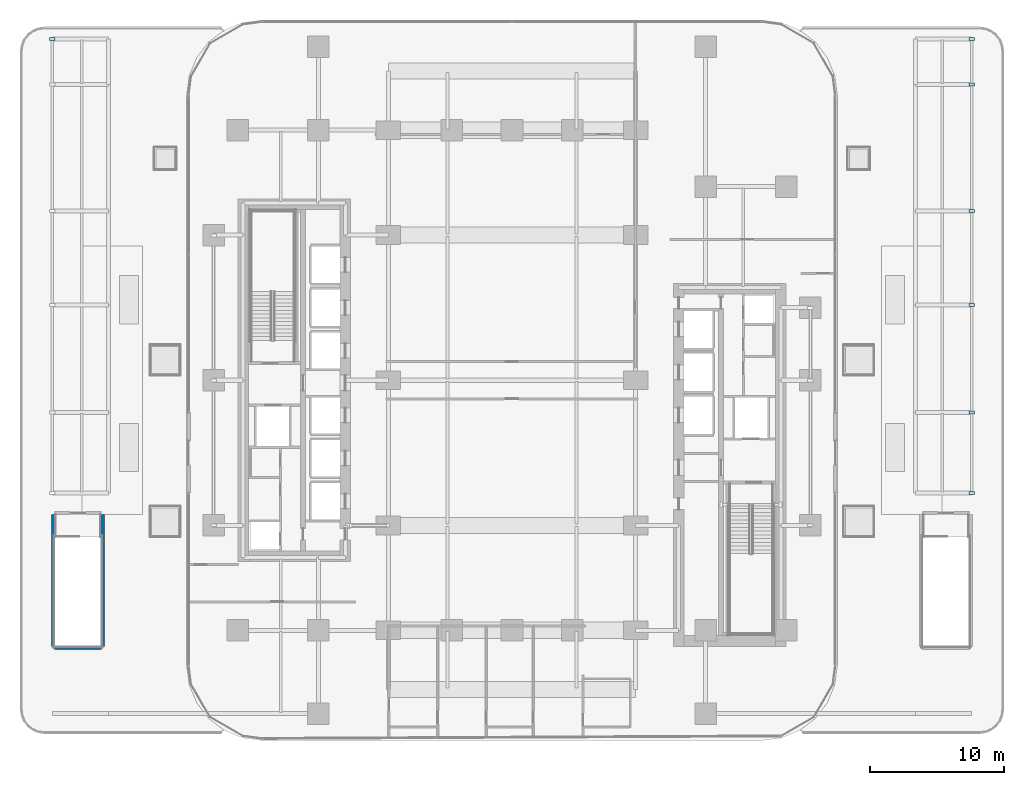
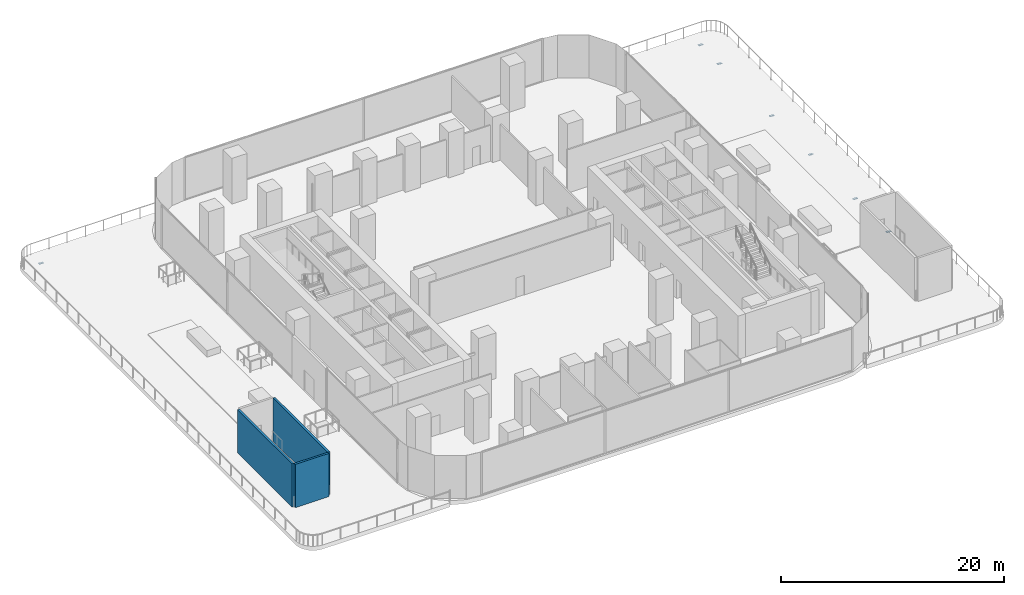
# One storey, part 5 of 21: 7 plates, 3 walls.
"""IFC4 building model written with IfcOpenShell, lengths in metres."""

from ifc_helpers import new_model, si_unit, direction, frame, frame_2d, origin, origin_2d, place, context, subcontext, project, spatial, rectangle, extrude, material, layer, layer_set, type_object, element, save


model = new_model("IFC4")

# Units and contexts
model_context = context("Model", 3, precision=1e-05, world=origin(), true_north=direction((0.0, 1.0)))
body_context = subcontext(model_context, "Body", "Model", "MODEL_VIEW")
ifc_project = project(units=[si_unit("LENGTHUNIT", "METRE"), si_unit("AREAUNIT", "SQUARE_METRE"), si_unit("VOLUMEUNIT", "CUBIC_METRE"), si_unit("PLANEANGLEUNIT", "RADIAN"), si_unit("MASSUNIT", "GRAM", prefix="KILO")], contexts=[model_context])

# Site, building, storey
site_placement = place(None, origin())
site = spatial("IfcSite", under=ifc_project, at=site_placement, CompositionType="ELEMENT")
building_placement = place(site_placement, origin())
building = spatial("IfcBuilding", under=site, at=building_placement, Name="Khairoan Windgate Tower", CompositionType="ELEMENT")
storey_placement = place(building_placement, frame((0.0, 0.0, 21.0)))
storey = spatial("IfcBuildingStorey", under=building, at=storey_placement, Name="L05", CompositionType="ELEMENT", Elevation=21.0)

# Plates
ifc_material_1 = material(Name="Steel S355", Category="steel")
ifc_layer_1 = layer(ifc_material_1, 0.0400390625, Name="Steel S355")
ifc_layer_set_1 = layer_set([ifc_layer_1], Name="Steel S355")
plate_type = type_object("IfcPlateType", Name="Hollow Section End-Cap Plate PL-CAP40", PredefinedType="SHEET", material=ifc_layer_set_1)
for number, where, z_axis, x_axis, name in (
    (1, (-34.199951171875, 25.385009765625, -0.669921875), (0.0, 0.0, 1.0), (0.0, 1.0, 0.0), "BM-SP-L05-044 steel end-cap plate 2"),
    (2, (34.199951171875, -8.385009765625, -0.669921875), (0.0, 0.0, 1.0), (0.0, 1.0, 0.0), "BM-SP-L05-088 steel end-cap plate 1"),
    (3, (34.199951171875, -2.4150390625, -0.669921875), (0.0, 0.0, 1.0), (0.0, 1.0, 0.0), "BM-SP-L05-088 steel end-cap plate 2"),
    (4, (34.199951171875, 5.5849609375, -0.669921875), (0.0, 0.0, 1.0), (0.0, 1.0, 0.0), "BM-SP-L05-089 steel end-cap plate 2"),
    (5, (34.199951171875, 12.5849609375, -0.669921875), (0.0, 0.0, 1.0), (0.0, 1.0, 0.0), "BM-SP-L05-090 steel end-cap plate 2"),
    (6, (34.199951171875, 21.985107421875, -0.669921875), (0.0, 0.0, 1.0), (0.0, 1.0, 0.0), "BM-SP-L05-091 steel end-cap plate 2"),
    (7, (34.199951171875, 25.385009765625, -0.669921875), (0.0, 0.0, 1.0), (0.0, 1.0, 0.0), "BM-SP-L05-092 steel end-cap plate 2"),
):
    element("IfcPlate", number, at=place(storey_placement, frame(where, z_axis=z_axis, x_axis=x_axis)), inside=storey, type_object=plate_type, Name=name, PredefinedType="SHEET", context=body_context, shape_type="SweptSolid", body=[
        extrude(rectangle(XDim=0.219970703125, YDim=0.419921875, at=origin_2d()), origin(), (0.0, 0.0, 1.0), 0.0400390625),
    ])

# Walls
ifc_material_2 = material(Name="Concrete C50/60", Category="concrete")
ifc_layer_2 = layer(ifc_material_2, 0.219970703125, Name="Concrete C50/60")
ifc_layer_set_2 = layer_set([ifc_layer_2], Name="Concrete C50/60")
wall_type = type_object("IfcWallType", Name="Shear Wall SW-ST 220mm", PredefinedType="SHEAR", material=ifc_layer_set_2)
wall_placement = place(storey_placement, frame((-34.02001953125, -19.909912109375, 0.0), z_axis=(0.0, 0.0, 1.0), x_axis=(1.0, 0.0, 0.0)))
element("IfcWall", 8, at=wall_placement, inside=storey, type_object=wall_type, Name="L05 ST4 South Bearing Wall", PredefinedType="SHEAR", context=body_context, shape_type="SweptSolid", body=[
    extrude(rectangle(XDim=3.469970703125, YDim=0.219970703125, at=frame_2d((1.73486328125, 0.0))), origin(), (0.0, 0.0, 1.0), 4.739990234375),
])
for number, where, z_axis, x_axis, name in (
    (9, (-34.1298828125, -19.800048828125, 0.0), (0.0, 0.0, 1.0), (0.0, 1.0, 0.0), "L05 ST4 West Bearing Wall"),
    (10, (-30.43994140625, -19.800048828125, 0.0), (0.0, 0.0, 1.0), (0.0, 1.0, 0.0), "L05 ST4 East Bearing Wall"),
):
    element("IfcWall", number, at=place(storey_placement, frame(where, z_axis=z_axis, x_axis=x_axis)), inside=storey, type_object=wall_type, Name=name, PredefinedType="SHEAR", context=body_context, shape_type="SweptSolid", body=[
        extrude(rectangle(XDim=9.800048828125, YDim=0.219970703125, at=frame_2d((4.89990234375, 0.0))), origin(), (0.0, 0.0, 1.0), 4.739990234375),
    ])

save(model, "model.ifc")
